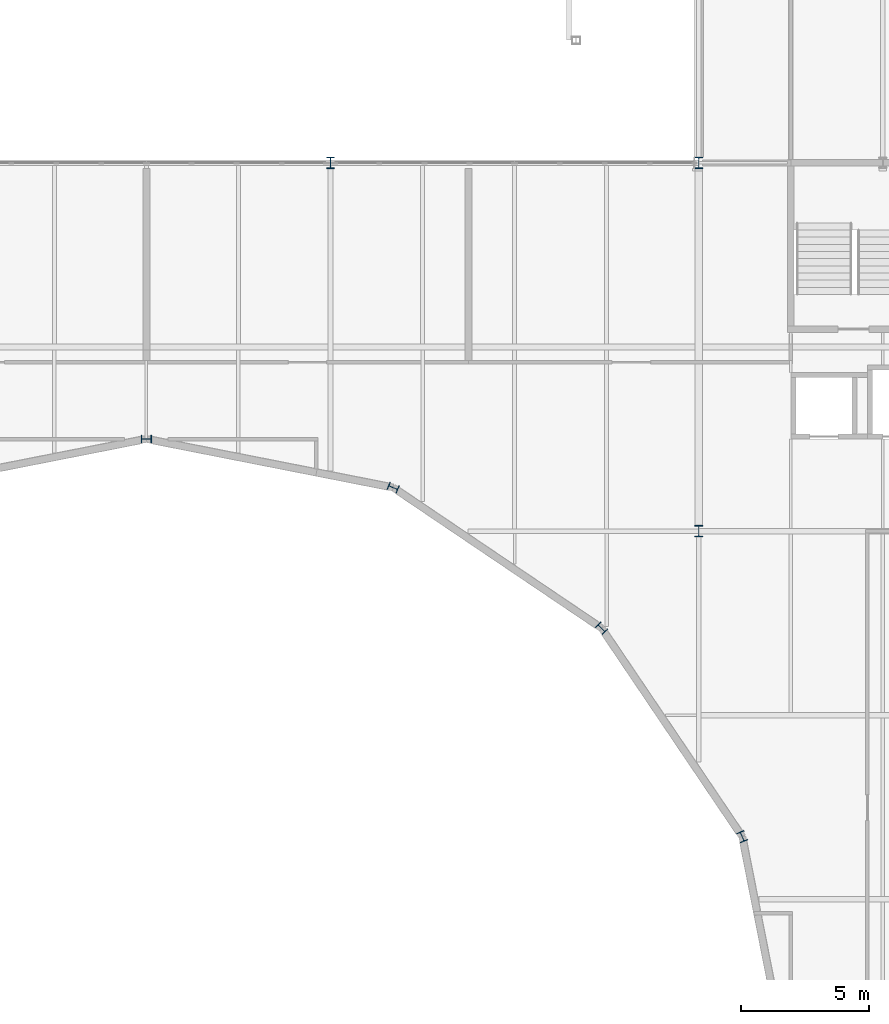
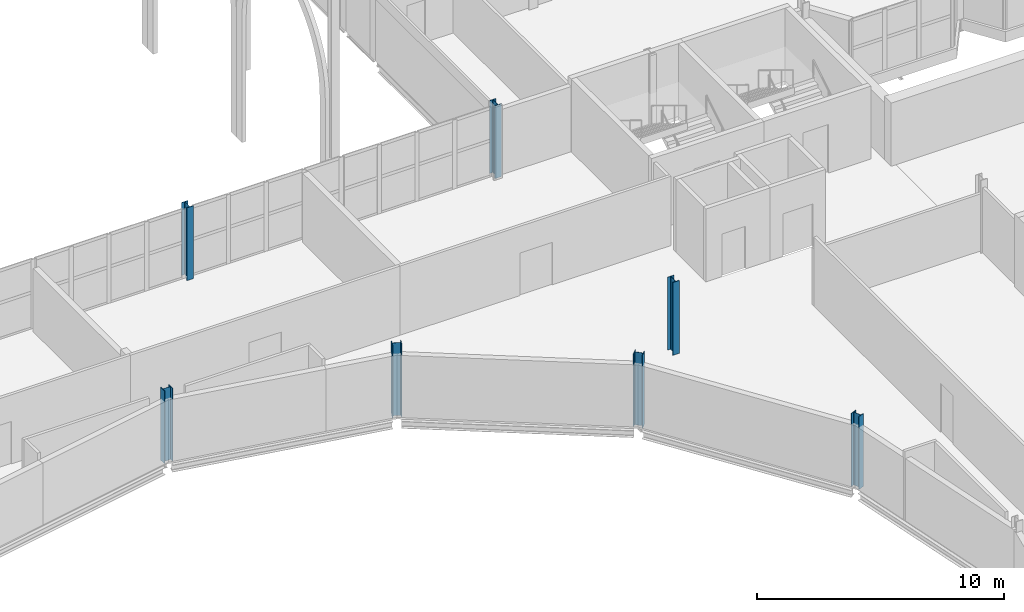
# One storey, part 9 of 124: 7 columns.
"""IFC4 building model written with IfcOpenShell, lengths in metres."""

from ifc_helpers import new_model, si_unit, direction, frame, origin, origin_2d, place, context, subcontext, project, spatial, i_section, extrude, material, material_profile, profile_set, type_object, element, save


model = new_model("IFC4")

# Units and contexts
model_context = context("Model", 3, precision=1e-05, world=origin(), true_north=direction((0.0, 1.0)))
body_context = subcontext(model_context, "Body", "Model", "MODEL_VIEW")
ifc_project = project(units=[si_unit("LENGTHUNIT", "METRE"), si_unit("AREAUNIT", "SQUARE_METRE"), si_unit("VOLUMEUNIT", "CUBIC_METRE"), si_unit("PLANEANGLEUNIT", "RADIAN"), si_unit("MASSUNIT", "GRAM", prefix="KILO")], contexts=[model_context])

# Site, building, storey
site_placement = place(None, origin())
site = spatial("IfcSite", under=ifc_project, at=site_placement, CompositionType="ELEMENT")
building_placement = place(site_placement, origin())
building = spatial("IfcBuilding", under=site, at=building_placement, Name="Kupolbacken Congress Centre", CompositionType="ELEMENT")
storey_placement = place(building_placement, frame((0.0, 0.0, 10.800048828125)))
storey = spatial("IfcBuildingStorey", under=building, at=storey_placement, Name="L03", CompositionType="ELEMENT", Elevation=10.800048828125)

# Columns
ifc_material_1 = material(Name="Steel S355", Category="steel")
ifc_material_profile_1 = material_profile(ifc_material_1, i_section(OverallWidth=0.300048828125, OverallDepth=0.449951171875, WebThickness=0.013916015625, FlangeThickness=0.02587890625, FilletRadius=0.027099609375, at=origin_2d()), Name="HEB 450")
ifc_profile_set_1 = profile_set([ifc_material_profile_1], Name="Steel S355")
column_type_1 = type_object("IfcColumnType", Name="C03 column HEB 450", PredefinedType="COLUMN", material=ifc_profile_set_1)
for number, where, z_axis, x_axis, name in (
    (1, (50.39990234375, 122.39990234375, 0.0), (0.0, 0.0, 1.0), (1.0, 0.0, 0.0), "S/col/C-P-8T/L03"),
    (2, (64.800048828125, 108.0, 0.0), (0.0, 0.0, 1.0), (1.0, 0.0, 0.0), "S/col/C-P-10R/L03"),
    (3, (64.800048828125, 122.39990234375, 0.0), (0.0, 0.0, 1.0), (1.0, 0.0, 0.0), "S/col/C-T-10T/L03"),
):
    element("IfcColumn", number, at=place(storey_placement, frame(where, z_axis=z_axis, x_axis=x_axis)), inside=storey, type_object=column_type_1, Name=name, PredefinedType="COLUMN", context=body_context, shape_type="SweptSolid", body=[
        extrude(i_section(OverallWidth=0.300048828125, OverallDepth=0.449951171875, WebThickness=0.013916015625, FlangeThickness=0.02587890625, FilletRadius=0.027099609375, at=origin_2d()), origin(), (0.0, 0.0, 1.0), 3.599853515625),
    ])
ifc_material_2 = material(Name="Steel S355", Category="steel")
ifc_material_profile_2 = material_profile(ifc_material_2, i_section(OverallWidth=0.300048828125, OverallDepth=0.39990234375, WebThickness=0.013427734375, FlangeThickness=0.02392578125, FilletRadius=0.027099609375, at=origin_2d()), Name="HEB 400")
ifc_profile_set_2 = profile_set([ifc_material_profile_2], Name="Steel S355")
column_type_2 = type_object("IfcColumnType", Name="C08 column HEB 400", PredefinedType="COLUMN", material=ifc_profile_set_2)
for number, where, z_axis, x_axis, name in (
    (4, (66.5, 96.050048828125, 0.0), (0.0, 0.0, 1.0), (0.923896018243, 0.382643629864, 0.0), "S/col/C-D02/L03"),
    (5, (61.0, 104.199951171875, 0.0), (0.0, 0.0, 1.0), (0.707106781187, 0.707106781187, 0.0), "S/col/C-D03/L03"),
    (6, (52.85009765625, 109.699951171875, 0.0), (0.0, 0.0, 1.0), (0.382643629864, 0.923896018243, 0.0), "S/col/C-D04/L03"),
    (7, (43.199951171875, 111.60009765625, 0.0), (0.0, 0.0, 1.0), (0.0, 1.0, 0.0), "S/col/C-D05/L03"),
):
    element("IfcColumn", number, at=place(storey_placement, frame(where, z_axis=z_axis, x_axis=x_axis)), inside=storey, type_object=column_type_2, Name=name, PredefinedType="COLUMN", context=body_context, shape_type="SweptSolid", body=[
        extrude(i_section(OverallWidth=0.300048828125, OverallDepth=0.39990234375, WebThickness=0.013427734375, FlangeThickness=0.02392578125, FilletRadius=0.027099609375, at=origin_2d()), origin(), (0.0, 0.0, 1.0), 3.599853515625),
    ])

save(model, "model.ifc")
